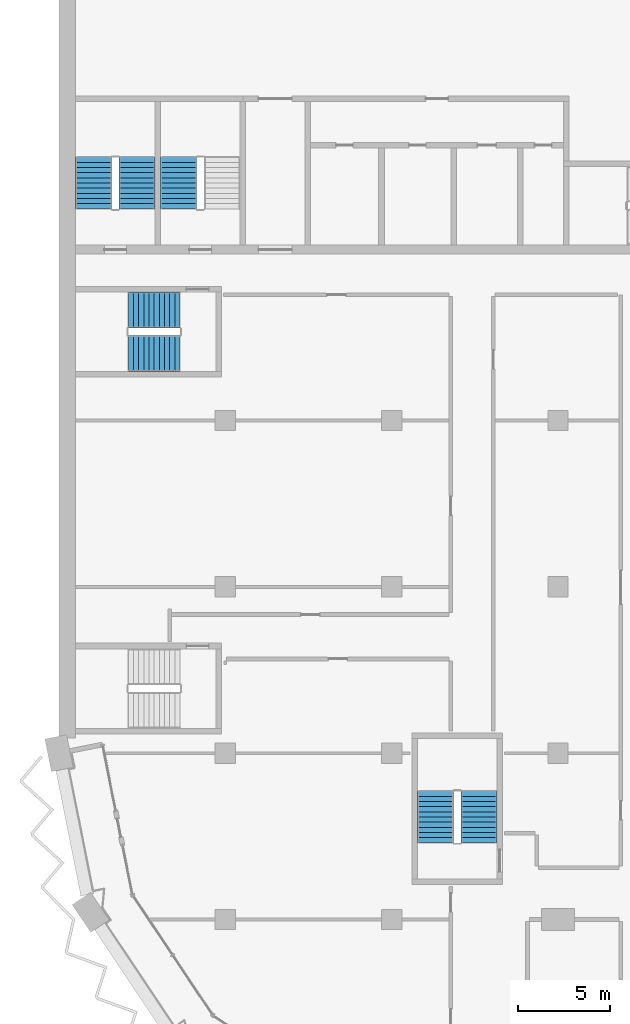
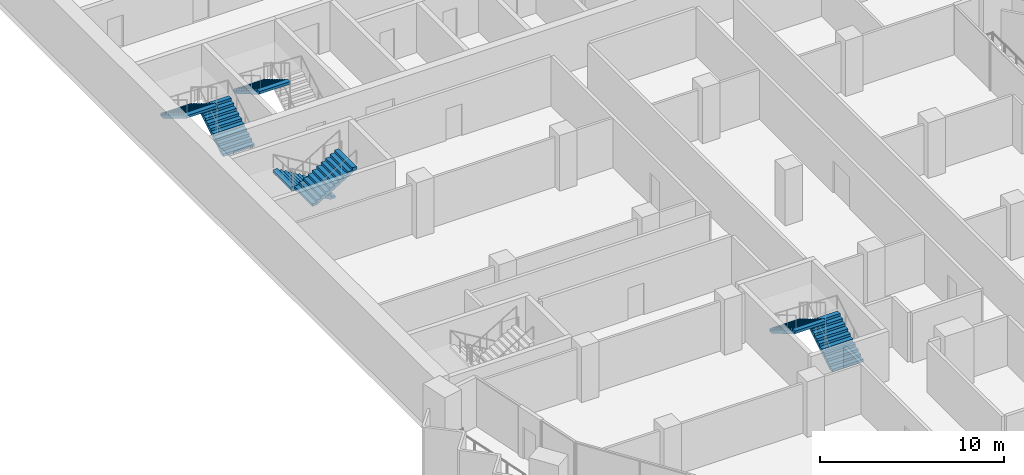
# One storey, part 12 of 17: 7 stair flights, 4 elements without a shape of their own.
"""IFC4 building model written with IfcOpenShell, lengths in metres."""

from ifc_helpers import new_model, si_unit, direction, frame, origin, place, context, subcontext, project, spatial, polyline, outline, extrude, material, type_object, element, aggregate, save


model = new_model("IFC4")

# Units and contexts
model_context = context("Model", 3, precision=1e-05, world=origin(), true_north=direction((0.0, 1.0)))
body_context = subcontext(model_context, "Body", "Model", "MODEL_VIEW")
ifc_project = project(units=[si_unit("LENGTHUNIT", "METRE"), si_unit("AREAUNIT", "SQUARE_METRE"), si_unit("VOLUMEUNIT", "CUBIC_METRE"), si_unit("PLANEANGLEUNIT", "RADIAN"), si_unit("MASSUNIT", "GRAM", prefix="KILO")], contexts=[model_context])

# Site, building, storey
site_placement = place(None, origin())
site = spatial("IfcSite", under=ifc_project, at=site_placement, CompositionType="ELEMENT")
building_placement = place(site_placement, origin())
building = spatial("IfcBuilding", under=site, at=building_placement, Name="Hunhe Ridgeline Campus", CompositionType="ELEMENT")
storey_placement = place(building_placement, frame((0.0, 0.0, 208.699951171875)))
storey = spatial("IfcBuildingStorey", under=building, at=storey_placement, Name="L53", CompositionType="ELEMENT", Elevation=208.699951171875)

# Stair, stair flights
ifc_material = material(Name="Concrete C40", Category="concrete")
stair_type = type_object("IfcStairType", Name="Reinforced concrete dog-leg stair 1950 Concrete C40", PredefinedType="HALF_TURN_STAIR", material=ifc_material)
stair_1_placement = place(storey_placement, origin())
stair_1 = element("IfcStair", 1, at=stair_1_placement, inside=storey, type_object=stair_type, Name="L53 S3", PredefinedType="HALF_TURN_STAIR")
stair_flight_type = type_object("IfcStairFlightType", Name="Reinforced concrete stair flight 1950 Concrete C40", PredefinedType="STRAIGHT", material=ifc_material)
stair_flight_1_placement = place(storey_placement, frame((4.22509765625, 65.449951171875, 0.0), z_axis=(0.0, 0.0, 1.0), x_axis=(0.0, 1.0, 0.0)))
stair_flight_1 = element("IfcStairFlight", 2, at=stair_flight_1_placement, type_object=stair_flight_type, Name="ST3 flight 1", NumberOfRisers=11, NumberOfTreads=10, PredefinedType="STRAIGHT", RiserHeight=0.168181818, TreadLength=0.28, context=body_context, shape_type="SweptSolid", body=[
    extrude(outline(polyline([(0.0, 0.0), (0.0, 0.168212890625), (0.280029296875, 0.168212890625), (0.280029296875, 0.33642578125), (0.56005859375, 0.33642578125), (0.56005859375, 0.504638671875), (0.840087890625, 0.504638671875), (0.840087890625, 0.672607421875), (1.1201171875, 0.672607421875), (1.1201171875, 0.8408203125), (1.39990234375, 0.8408203125), (1.39990234375, 1.009033203125), (1.679931640625, 1.009033203125), (1.679931640625, 1.17724609375), (1.9599609375, 1.17724609375), (1.9599609375, 1.345458984375), (2.239990234375, 1.345458984375), (2.239990234375, 1.513671875), (2.52001953125, 1.513671875), (2.52001953125, 1.681884765625), (2.800048828125, 1.681884765625), (2.800048828125, 1.85009765625), (2.800048828125, 1.5068359375), (0.291015625, 0.0), (0.0, 0.0)])), frame((0.0, 0.97509765625, 0.0), z_axis=(0.0, -1.0, 0.0), x_axis=(1.0, 0.0, 0.0)), (0.0, 0.0, 1.0), 1.949951171875),
    extrude(outline(polyline([(0.030029296875, 0.030029296875), (0.030029296875, 0.13818359375), (0.31005859375, 0.13818359375), (0.31005859375, 0.306396484375), (0.590087890625, 0.306396484375), (0.590087890625, 0.474609375), (0.8701171875, 0.474609375), (0.8701171875, 0.642578125), (1.14990234375, 0.642578125), (1.14990234375, 0.810791015625), (1.429931640625, 0.810791015625), (1.429931640625, 0.97900390625), (1.7099609375, 0.97900390625), (1.7099609375, 1.147216796875), (1.989990234375, 1.147216796875), (1.989990234375, 1.3154296875), (2.27001953125, 1.3154296875), (2.27001953125, 1.483642578125), (2.550048828125, 1.483642578125), (2.550048828125, 1.65185546875), (2.77001953125, 1.65185546875), (2.77001953125, 1.52392578125), (0.28271484375, 0.030029296875), (0.030029296875, 0.030029296875)])), frame((0.0, -0.070068359375, 0.0), z_axis=(0.0, -1.0, 0.0), x_axis=(1.0, 0.0, 0.0)), (0.0, 0.0, 1.0), 0.019775390625),
    extrude(outline(polyline([(0.030029296875, 0.030029296875), (0.030029296875, 0.13818359375), (0.31005859375, 0.13818359375), (0.31005859375, 0.306396484375), (0.590087890625, 0.306396484375), (0.590087890625, 0.474609375), (0.8701171875, 0.474609375), (0.8701171875, 0.642578125), (1.14990234375, 0.642578125), (1.14990234375, 0.810791015625), (1.429931640625, 0.810791015625), (1.429931640625, 0.97900390625), (1.7099609375, 0.97900390625), (1.7099609375, 1.147216796875), (1.989990234375, 1.147216796875), (1.989990234375, 1.3154296875), (2.27001953125, 1.3154296875), (2.27001953125, 1.483642578125), (2.550048828125, 1.483642578125), (2.550048828125, 1.65185546875), (2.77001953125, 1.65185546875), (2.77001953125, 1.52392578125), (0.28271484375, 0.030029296875), (0.030029296875, 0.030029296875)])), frame((0.0, 0.010009765625, 0.0), z_axis=(0.0, -1.0, 0.0), x_axis=(1.0, 0.0, 0.0)), (0.0, 0.0, 1.0), 0.019775390625),
    extrude(outline(polyline([(0.030029296875, 0.030029296875), (0.030029296875, 0.13818359375), (0.31005859375, 0.13818359375), (0.31005859375, 0.306396484375), (0.590087890625, 0.306396484375), (0.590087890625, 0.474609375), (0.8701171875, 0.474609375), (0.8701171875, 0.642578125), (1.14990234375, 0.642578125), (1.14990234375, 0.810791015625), (1.429931640625, 0.810791015625), (1.429931640625, 0.97900390625), (1.7099609375, 0.97900390625), (1.7099609375, 1.147216796875), (1.989990234375, 1.147216796875), (1.989990234375, 1.3154296875), (2.27001953125, 1.3154296875), (2.27001953125, 1.483642578125), (2.550048828125, 1.483642578125), (2.550048828125, 1.65185546875), (2.77001953125, 1.65185546875), (2.77001953125, 1.52392578125), (0.28271484375, 0.030029296875), (0.030029296875, 0.030029296875)])), frame((0.0, 0.090087890625, 0.0), z_axis=(0.0, -1.0, 0.0), x_axis=(1.0, 0.0, 0.0)), (0.0, 0.0, 1.0), 0.019775390625),
])
stair_flight_2_placement = place(storey_placement, frame((1.875, 68.25, 1.85009765625), z_axis=(0.0, 0.0, 1.0), x_axis=(0.0, -1.0, 0.0)))
stair_flight_2 = element("IfcStairFlight", 3, at=stair_flight_2_placement, type_object=stair_flight_type, Name="ST3 flight 2", NumberOfRisers=11, NumberOfTreads=10, PredefinedType="STRAIGHT", RiserHeight=0.168181818, TreadLength=0.28, context=body_context, shape_type="SweptSolid", body=[
    extrude(outline(polyline([(0.0, 0.0), (0.0, 0.168212890625), (0.280029296875, 0.168212890625), (0.280029296875, 0.33642578125), (0.56005859375, 0.33642578125), (0.56005859375, 0.504638671875), (0.840087890625, 0.504638671875), (0.840087890625, 0.672607421875), (1.1201171875, 0.672607421875), (1.1201171875, 0.8408203125), (1.39990234375, 0.8408203125), (1.39990234375, 1.009033203125), (1.679931640625, 1.009033203125), (1.679931640625, 1.17724609375), (1.9599609375, 1.17724609375), (1.9599609375, 1.345458984375), (2.239990234375, 1.345458984375), (2.239990234375, 1.513671875), (2.52001953125, 1.513671875), (2.52001953125, 1.681884765625), (2.800048828125, 1.681884765625), (2.800048828125, 1.85009765625), (2.800048828125, 1.5068359375), (0.291015625, 0.0), (0.0, 0.0)])), frame((0.0, 0.97509765625, 0.0), z_axis=(0.0, -1.0, 0.0), x_axis=(1.0, 0.0, 0.0)), (0.0, 0.0, 1.0), 1.949951171875),
    extrude(outline(polyline([(0.030029296875, 0.030029296875), (0.030029296875, 0.13818359375), (0.31005859375, 0.13818359375), (0.31005859375, 0.306396484375), (0.590087890625, 0.306396484375), (0.590087890625, 0.474609375), (0.8701171875, 0.474609375), (0.8701171875, 0.642578125), (1.14990234375, 0.642578125), (1.14990234375, 0.810791015625), (1.429931640625, 0.810791015625), (1.429931640625, 0.97900390625), (1.7099609375, 0.97900390625), (1.7099609375, 1.147216796875), (1.989990234375, 1.147216796875), (1.989990234375, 1.3154296875), (2.27001953125, 1.3154296875), (2.27001953125, 1.483642578125), (2.550048828125, 1.483642578125), (2.550048828125, 1.65185546875), (2.77001953125, 1.65185546875), (2.77001953125, 1.52392578125), (0.28271484375, 0.030029296875), (0.030029296875, 0.030029296875)])), frame((0.0, -0.070068359375, 0.0), z_axis=(0.0, -1.0, 0.0), x_axis=(1.0, 0.0, 0.0)), (0.0, 0.0, 1.0), 0.019775390625),
    extrude(outline(polyline([(0.030029296875, 0.030029296875), (0.030029296875, 0.13818359375), (0.31005859375, 0.13818359375), (0.31005859375, 0.306396484375), (0.590087890625, 0.306396484375), (0.590087890625, 0.474609375), (0.8701171875, 0.474609375), (0.8701171875, 0.642578125), (1.14990234375, 0.642578125), (1.14990234375, 0.810791015625), (1.429931640625, 0.810791015625), (1.429931640625, 0.97900390625), (1.7099609375, 0.97900390625), (1.7099609375, 1.147216796875), (1.989990234375, 1.147216796875), (1.989990234375, 1.3154296875), (2.27001953125, 1.3154296875), (2.27001953125, 1.483642578125), (2.550048828125, 1.483642578125), (2.550048828125, 1.65185546875), (2.77001953125, 1.65185546875), (2.77001953125, 1.52392578125), (0.28271484375, 0.030029296875), (0.030029296875, 0.030029296875)])), frame((0.0, 0.010009765625, 0.0), z_axis=(0.0, -1.0, 0.0), x_axis=(1.0, 0.0, 0.0)), (0.0, 0.0, 1.0), 0.019775390625),
    extrude(outline(polyline([(0.030029296875, 0.030029296875), (0.030029296875, 0.13818359375), (0.31005859375, 0.13818359375), (0.31005859375, 0.306396484375), (0.590087890625, 0.306396484375), (0.590087890625, 0.474609375), (0.8701171875, 0.474609375), (0.8701171875, 0.642578125), (1.14990234375, 0.642578125), (1.14990234375, 0.810791015625), (1.429931640625, 0.810791015625), (1.429931640625, 0.97900390625), (1.7099609375, 0.97900390625), (1.7099609375, 1.147216796875), (1.989990234375, 1.147216796875), (1.989990234375, 1.3154296875), (2.27001953125, 1.3154296875), (2.27001953125, 1.483642578125), (2.550048828125, 1.483642578125), (2.550048828125, 1.65185546875), (2.77001953125, 1.65185546875), (2.77001953125, 1.52392578125), (0.28271484375, 0.030029296875), (0.030029296875, 0.030029296875)])), frame((0.0, 0.090087890625, 0.0), z_axis=(0.0, -1.0, 0.0), x_axis=(1.0, 0.0, 0.0)), (0.0, 0.0, 1.0), 0.019775390625),
])
aggregate(stair_1, [stair_flight_1, stair_flight_2])

# Stair, stair flight
stair_2_placement = place(storey_placement, origin())
stair_2 = element("IfcStair", 4, at=stair_2_placement, inside=storey, type_object=stair_type, Name="L53 S4", PredefinedType="HALF_TURN_STAIR")
stair_flight_3_placement = place(storey_placement, frame((6.47509765625, 68.25, 1.85009765625), z_axis=(0.0, 0.0, 1.0), x_axis=(0.0, -1.0, 0.0)))
stair_flight_3 = element("IfcStairFlight", 5, at=stair_flight_3_placement, type_object=stair_flight_type, Name="ST4 flight 2", NumberOfRisers=11, NumberOfTreads=10, PredefinedType="STRAIGHT", RiserHeight=0.168181818, TreadLength=0.28, context=body_context, shape_type="SweptSolid", body=[
    extrude(outline(polyline([(0.0, 0.0), (0.0, 0.168212890625), (0.280029296875, 0.168212890625), (0.280029296875, 0.33642578125), (0.56005859375, 0.33642578125), (0.56005859375, 0.504638671875), (0.840087890625, 0.504638671875), (0.840087890625, 0.672607421875), (1.1201171875, 0.672607421875), (1.1201171875, 0.8408203125), (1.39990234375, 0.8408203125), (1.39990234375, 1.009033203125), (1.679931640625, 1.009033203125), (1.679931640625, 1.17724609375), (1.9599609375, 1.17724609375), (1.9599609375, 1.345458984375), (2.239990234375, 1.345458984375), (2.239990234375, 1.513671875), (2.52001953125, 1.513671875), (2.52001953125, 1.681884765625), (2.800048828125, 1.681884765625), (2.800048828125, 1.85009765625), (2.800048828125, 1.5068359375), (0.291015625, 0.0), (0.0, 0.0)])), frame((0.0, 0.97509765625, 0.0), z_axis=(0.0, -1.0, 0.0), x_axis=(1.0, 0.0, 0.0)), (0.0, 0.0, 1.0), 1.949951171875),
    extrude(outline(polyline([(0.030029296875, 0.030029296875), (0.030029296875, 0.13818359375), (0.31005859375, 0.13818359375), (0.31005859375, 0.306396484375), (0.590087890625, 0.306396484375), (0.590087890625, 0.474609375), (0.8701171875, 0.474609375), (0.8701171875, 0.642578125), (1.14990234375, 0.642578125), (1.14990234375, 0.810791015625), (1.429931640625, 0.810791015625), (1.429931640625, 0.97900390625), (1.7099609375, 0.97900390625), (1.7099609375, 1.147216796875), (1.989990234375, 1.147216796875), (1.989990234375, 1.3154296875), (2.27001953125, 1.3154296875), (2.27001953125, 1.483642578125), (2.550048828125, 1.483642578125), (2.550048828125, 1.65185546875), (2.77001953125, 1.65185546875), (2.77001953125, 1.52392578125), (0.28271484375, 0.030029296875), (0.030029296875, 0.030029296875)])), frame((0.0, -0.070068359375, 0.0), z_axis=(0.0, -1.0, 0.0), x_axis=(1.0, 0.0, 0.0)), (0.0, 0.0, 1.0), 0.019775390625),
    extrude(outline(polyline([(0.030029296875, 0.030029296875), (0.030029296875, 0.13818359375), (0.31005859375, 0.13818359375), (0.31005859375, 0.306396484375), (0.590087890625, 0.306396484375), (0.590087890625, 0.474609375), (0.8701171875, 0.474609375), (0.8701171875, 0.642578125), (1.14990234375, 0.642578125), (1.14990234375, 0.810791015625), (1.429931640625, 0.810791015625), (1.429931640625, 0.97900390625), (1.7099609375, 0.97900390625), (1.7099609375, 1.147216796875), (1.989990234375, 1.147216796875), (1.989990234375, 1.3154296875), (2.27001953125, 1.3154296875), (2.27001953125, 1.483642578125), (2.550048828125, 1.483642578125), (2.550048828125, 1.65185546875), (2.77001953125, 1.65185546875), (2.77001953125, 1.52392578125), (0.28271484375, 0.030029296875), (0.030029296875, 0.030029296875)])), frame((0.0, 0.010009765625, 0.0), z_axis=(0.0, -1.0, 0.0), x_axis=(1.0, 0.0, 0.0)), (0.0, 0.0, 1.0), 0.019775390625),
    extrude(outline(polyline([(0.030029296875, 0.030029296875), (0.030029296875, 0.13818359375), (0.31005859375, 0.13818359375), (0.31005859375, 0.306396484375), (0.590087890625, 0.306396484375), (0.590087890625, 0.474609375), (0.8701171875, 0.474609375), (0.8701171875, 0.642578125), (1.14990234375, 0.642578125), (1.14990234375, 0.810791015625), (1.429931640625, 0.810791015625), (1.429931640625, 0.97900390625), (1.7099609375, 0.97900390625), (1.7099609375, 1.147216796875), (1.989990234375, 1.147216796875), (1.989990234375, 1.3154296875), (2.27001953125, 1.3154296875), (2.27001953125, 1.483642578125), (2.550048828125, 1.483642578125), (2.550048828125, 1.65185546875), (2.77001953125, 1.65185546875), (2.77001953125, 1.52392578125), (0.28271484375, 0.030029296875), (0.030029296875, 0.030029296875)])), frame((0.0, 0.090087890625, 0.0), z_axis=(0.0, -1.0, 0.0), x_axis=(1.0, 0.0, 0.0)), (0.0, 0.0, 1.0), 0.019775390625),
])
aggregate(stair_2, [stair_flight_3])

# Stair, stair flights
stair_3_placement = place(storey_placement, origin())
stair_3 = element("IfcStair", 6, at=stair_3_placement, inside=storey, type_object=stair_type, Name="L53 W3", PredefinedType="HALF_TURN_STAIR")
stair_flight_4_placement = place(storey_placement, frame((22.72509765625, 31.14990234375, 0.0), z_axis=(0.0, 0.0, 1.0), x_axis=(0.0, 1.0, 0.0)))
stair_flight_4 = element("IfcStairFlight", 7, at=stair_flight_4_placement, type_object=stair_flight_type, Name="ST9 flight 1", NumberOfRisers=11, NumberOfTreads=10, PredefinedType="STRAIGHT", RiserHeight=0.168181818, TreadLength=0.28, context=body_context, shape_type="SweptSolid", body=[
    extrude(outline(polyline([(0.0, 0.0), (0.0, 0.168212890625), (0.280029296875, 0.168212890625), (0.280029296875, 0.33642578125), (0.56005859375, 0.33642578125), (0.56005859375, 0.504638671875), (0.840087890625, 0.504638671875), (0.840087890625, 0.672607421875), (1.1201171875, 0.672607421875), (1.1201171875, 0.8408203125), (1.39990234375, 0.8408203125), (1.39990234375, 1.009033203125), (1.679931640625, 1.009033203125), (1.679931640625, 1.17724609375), (1.9599609375, 1.17724609375), (1.9599609375, 1.345458984375), (2.239990234375, 1.345458984375), (2.239990234375, 1.513671875), (2.52001953125, 1.513671875), (2.52001953125, 1.681884765625), (2.800048828125, 1.681884765625), (2.800048828125, 1.85009765625), (2.800048828125, 1.5068359375), (0.291015625, 0.0), (0.0, 0.0)])), frame((0.0, 0.97509765625, 0.0), z_axis=(0.0, -1.0, 0.0), x_axis=(1.0, 0.0, 0.0)), (0.0, 0.0, 1.0), 1.949951171875),
    extrude(outline(polyline([(0.030029296875, 0.030029296875), (0.030029296875, 0.13818359375), (0.31005859375, 0.13818359375), (0.31005859375, 0.306396484375), (0.590087890625, 0.306396484375), (0.590087890625, 0.474609375), (0.8701171875, 0.474609375), (0.8701171875, 0.642578125), (1.14990234375, 0.642578125), (1.14990234375, 0.810791015625), (1.429931640625, 0.810791015625), (1.429931640625, 0.97900390625), (1.7099609375, 0.97900390625), (1.7099609375, 1.147216796875), (1.989990234375, 1.147216796875), (1.989990234375, 1.3154296875), (2.27001953125, 1.3154296875), (2.27001953125, 1.483642578125), (2.550048828125, 1.483642578125), (2.550048828125, 1.65185546875), (2.77001953125, 1.65185546875), (2.77001953125, 1.52392578125), (0.28271484375, 0.030029296875), (0.030029296875, 0.030029296875)])), frame((0.0, -0.070068359375, 0.0), z_axis=(0.0, -1.0, 0.0), x_axis=(1.0, 0.0, 0.0)), (0.0, 0.0, 1.0), 0.019775390625),
    extrude(outline(polyline([(0.030029296875, 0.030029296875), (0.030029296875, 0.13818359375), (0.31005859375, 0.13818359375), (0.31005859375, 0.306396484375), (0.590087890625, 0.306396484375), (0.590087890625, 0.474609375), (0.8701171875, 0.474609375), (0.8701171875, 0.642578125), (1.14990234375, 0.642578125), (1.14990234375, 0.810791015625), (1.429931640625, 0.810791015625), (1.429931640625, 0.97900390625), (1.7099609375, 0.97900390625), (1.7099609375, 1.147216796875), (1.989990234375, 1.147216796875), (1.989990234375, 1.3154296875), (2.27001953125, 1.3154296875), (2.27001953125, 1.483642578125), (2.550048828125, 1.483642578125), (2.550048828125, 1.65185546875), (2.77001953125, 1.65185546875), (2.77001953125, 1.52392578125), (0.28271484375, 0.030029296875), (0.030029296875, 0.030029296875)])), frame((0.0, 0.010009765625, 0.0), z_axis=(0.0, -1.0, 0.0), x_axis=(1.0, 0.0, 0.0)), (0.0, 0.0, 1.0), 0.019775390625),
    extrude(outline(polyline([(0.030029296875, 0.030029296875), (0.030029296875, 0.13818359375), (0.31005859375, 0.13818359375), (0.31005859375, 0.306396484375), (0.590087890625, 0.306396484375), (0.590087890625, 0.474609375), (0.8701171875, 0.474609375), (0.8701171875, 0.642578125), (1.14990234375, 0.642578125), (1.14990234375, 0.810791015625), (1.429931640625, 0.810791015625), (1.429931640625, 0.97900390625), (1.7099609375, 0.97900390625), (1.7099609375, 1.147216796875), (1.989990234375, 1.147216796875), (1.989990234375, 1.3154296875), (2.27001953125, 1.3154296875), (2.27001953125, 1.483642578125), (2.550048828125, 1.483642578125), (2.550048828125, 1.65185546875), (2.77001953125, 1.65185546875), (2.77001953125, 1.52392578125), (0.28271484375, 0.030029296875), (0.030029296875, 0.030029296875)])), frame((0.0, 0.090087890625, 0.0), z_axis=(0.0, -1.0, 0.0), x_axis=(1.0, 0.0, 0.0)), (0.0, 0.0, 1.0), 0.019775390625),
])
stair_flight_5_placement = place(storey_placement, frame((20.375, 33.949951171875, 1.85009765625), z_axis=(0.0, 0.0, 1.0), x_axis=(0.0, -1.0, 0.0)))
stair_flight_5 = element("IfcStairFlight", 8, at=stair_flight_5_placement, type_object=stair_flight_type, Name="ST9 flight 2", NumberOfRisers=11, NumberOfTreads=10, PredefinedType="STRAIGHT", RiserHeight=0.168181818, TreadLength=0.28, context=body_context, shape_type="SweptSolid", body=[
    extrude(outline(polyline([(0.0, 0.0), (0.0, 0.168212890625), (0.280029296875, 0.168212890625), (0.280029296875, 0.33642578125), (0.56005859375, 0.33642578125), (0.56005859375, 0.504638671875), (0.840087890625, 0.504638671875), (0.840087890625, 0.672607421875), (1.1201171875, 0.672607421875), (1.1201171875, 0.8408203125), (1.39990234375, 0.8408203125), (1.39990234375, 1.009033203125), (1.679931640625, 1.009033203125), (1.679931640625, 1.17724609375), (1.9599609375, 1.17724609375), (1.9599609375, 1.345458984375), (2.239990234375, 1.345458984375), (2.239990234375, 1.513671875), (2.52001953125, 1.513671875), (2.52001953125, 1.681884765625), (2.800048828125, 1.681884765625), (2.800048828125, 1.85009765625), (2.800048828125, 1.5068359375), (0.291015625, 0.0), (0.0, 0.0)])), frame((0.0, 0.97509765625, 0.0), z_axis=(0.0, -1.0, 0.0), x_axis=(1.0, 0.0, 0.0)), (0.0, 0.0, 1.0), 1.949951171875),
    extrude(outline(polyline([(0.030029296875, 0.030029296875), (0.030029296875, 0.13818359375), (0.31005859375, 0.13818359375), (0.31005859375, 0.306396484375), (0.590087890625, 0.306396484375), (0.590087890625, 0.474609375), (0.8701171875, 0.474609375), (0.8701171875, 0.642578125), (1.14990234375, 0.642578125), (1.14990234375, 0.810791015625), (1.429931640625, 0.810791015625), (1.429931640625, 0.97900390625), (1.7099609375, 0.97900390625), (1.7099609375, 1.147216796875), (1.989990234375, 1.147216796875), (1.989990234375, 1.3154296875), (2.27001953125, 1.3154296875), (2.27001953125, 1.483642578125), (2.550048828125, 1.483642578125), (2.550048828125, 1.65185546875), (2.77001953125, 1.65185546875), (2.77001953125, 1.52392578125), (0.28271484375, 0.030029296875), (0.030029296875, 0.030029296875)])), frame((0.0, -0.070068359375, 0.0), z_axis=(0.0, -1.0, 0.0), x_axis=(1.0, 0.0, 0.0)), (0.0, 0.0, 1.0), 0.019775390625),
    extrude(outline(polyline([(0.030029296875, 0.030029296875), (0.030029296875, 0.13818359375), (0.31005859375, 0.13818359375), (0.31005859375, 0.306396484375), (0.590087890625, 0.306396484375), (0.590087890625, 0.474609375), (0.8701171875, 0.474609375), (0.8701171875, 0.642578125), (1.14990234375, 0.642578125), (1.14990234375, 0.810791015625), (1.429931640625, 0.810791015625), (1.429931640625, 0.97900390625), (1.7099609375, 0.97900390625), (1.7099609375, 1.147216796875), (1.989990234375, 1.147216796875), (1.989990234375, 1.3154296875), (2.27001953125, 1.3154296875), (2.27001953125, 1.483642578125), (2.550048828125, 1.483642578125), (2.550048828125, 1.65185546875), (2.77001953125, 1.65185546875), (2.77001953125, 1.52392578125), (0.28271484375, 0.030029296875), (0.030029296875, 0.030029296875)])), frame((0.0, 0.010009765625, 0.0), z_axis=(0.0, -1.0, 0.0), x_axis=(1.0, 0.0, 0.0)), (0.0, 0.0, 1.0), 0.019775390625),
    extrude(outline(polyline([(0.030029296875, 0.030029296875), (0.030029296875, 0.13818359375), (0.31005859375, 0.13818359375), (0.31005859375, 0.306396484375), (0.590087890625, 0.306396484375), (0.590087890625, 0.474609375), (0.8701171875, 0.474609375), (0.8701171875, 0.642578125), (1.14990234375, 0.642578125), (1.14990234375, 0.810791015625), (1.429931640625, 0.810791015625), (1.429931640625, 0.97900390625), (1.7099609375, 0.97900390625), (1.7099609375, 1.147216796875), (1.989990234375, 1.147216796875), (1.989990234375, 1.3154296875), (2.27001953125, 1.3154296875), (2.27001953125, 1.483642578125), (2.550048828125, 1.483642578125), (2.550048828125, 1.65185546875), (2.77001953125, 1.65185546875), (2.77001953125, 1.52392578125), (0.28271484375, 0.030029296875), (0.030029296875, 0.030029296875)])), frame((0.0, 0.090087890625, 0.0), z_axis=(0.0, -1.0, 0.0), x_axis=(1.0, 0.0, 0.0)), (0.0, 0.0, 1.0), 0.019775390625),
])
aggregate(stair_3, [stair_flight_4, stair_flight_5])

stair_4_placement = place(storey_placement, origin())
stair_4 = element("IfcStair", 9, at=stair_4_placement, inside=storey, type_object=stair_type, Name="L53 W2", PredefinedType="HALF_TURN_STAIR")
stair_flight_6_placement = place(storey_placement, frame((6.550048828125, 59.97509765625, 0.0), z_axis=(0.0, 0.0, 1.0), x_axis=(-1.0, 0.0, 0.0)))
stair_flight_6 = element("IfcStairFlight", 10, at=stair_flight_6_placement, type_object=stair_flight_type, Name="ST12 flight 1", NumberOfRisers=11, NumberOfTreads=10, PredefinedType="STRAIGHT", RiserHeight=0.168181818, TreadLength=0.28, context=body_context, shape_type="SweptSolid", body=[
    extrude(outline(polyline([(0.0, 0.0), (0.0, 0.168212890625), (0.280029296875, 0.168212890625), (0.280029296875, 0.33642578125), (0.56005859375, 0.33642578125), (0.56005859375, 0.504638671875), (0.840087890625, 0.504638671875), (0.840087890625, 0.672607421875), (1.1201171875, 0.672607421875), (1.1201171875, 0.8408203125), (1.39990234375, 0.8408203125), (1.39990234375, 1.009033203125), (1.679931640625, 1.009033203125), (1.679931640625, 1.17724609375), (1.9599609375, 1.17724609375), (1.9599609375, 1.345458984375), (2.239990234375, 1.345458984375), (2.239990234375, 1.513671875), (2.52001953125, 1.513671875), (2.52001953125, 1.681884765625), (2.800048828125, 1.681884765625), (2.800048828125, 1.85009765625), (2.800048828125, 1.5068359375), (0.291015625, 0.0), (0.0, 0.0)])), frame((0.0, 0.97509765625, 0.0), z_axis=(0.0, -1.0, 0.0), x_axis=(1.0, 0.0, 0.0)), (0.0, 0.0, 1.0), 1.949951171875),
    extrude(outline(polyline([(0.030029296875, 0.030029296875), (0.030029296875, 0.13818359375), (0.31005859375, 0.13818359375), (0.31005859375, 0.306396484375), (0.590087890625, 0.306396484375), (0.590087890625, 0.474609375), (0.8701171875, 0.474609375), (0.8701171875, 0.642578125), (1.14990234375, 0.642578125), (1.14990234375, 0.810791015625), (1.429931640625, 0.810791015625), (1.429931640625, 0.97900390625), (1.7099609375, 0.97900390625), (1.7099609375, 1.147216796875), (1.989990234375, 1.147216796875), (1.989990234375, 1.3154296875), (2.27001953125, 1.3154296875), (2.27001953125, 1.483642578125), (2.550048828125, 1.483642578125), (2.550048828125, 1.65185546875), (2.77001953125, 1.65185546875), (2.77001953125, 1.52392578125), (0.28271484375, 0.030029296875), (0.030029296875, 0.030029296875)])), frame((0.0, -0.070068359375, 0.0), z_axis=(0.0, -1.0, 0.0), x_axis=(1.0, 0.0, 0.0)), (0.0, 0.0, 1.0), 0.019775390625),
    extrude(outline(polyline([(0.030029296875, 0.030029296875), (0.030029296875, 0.13818359375), (0.31005859375, 0.13818359375), (0.31005859375, 0.306396484375), (0.590087890625, 0.306396484375), (0.590087890625, 0.474609375), (0.8701171875, 0.474609375), (0.8701171875, 0.642578125), (1.14990234375, 0.642578125), (1.14990234375, 0.810791015625), (1.429931640625, 0.810791015625), (1.429931640625, 0.97900390625), (1.7099609375, 0.97900390625), (1.7099609375, 1.147216796875), (1.989990234375, 1.147216796875), (1.989990234375, 1.3154296875), (2.27001953125, 1.3154296875), (2.27001953125, 1.483642578125), (2.550048828125, 1.483642578125), (2.550048828125, 1.65185546875), (2.77001953125, 1.65185546875), (2.77001953125, 1.52392578125), (0.28271484375, 0.030029296875), (0.030029296875, 0.030029296875)])), frame((0.0, 0.010009765625, 0.0), z_axis=(0.0, -1.0, 0.0), x_axis=(1.0, 0.0, 0.0)), (0.0, 0.0, 1.0), 0.019775390625),
    extrude(outline(polyline([(0.030029296875, 0.030029296875), (0.030029296875, 0.13818359375), (0.31005859375, 0.13818359375), (0.31005859375, 0.306396484375), (0.590087890625, 0.306396484375), (0.590087890625, 0.474609375), (0.8701171875, 0.474609375), (0.8701171875, 0.642578125), (1.14990234375, 0.642578125), (1.14990234375, 0.810791015625), (1.429931640625, 0.810791015625), (1.429931640625, 0.97900390625), (1.7099609375, 0.97900390625), (1.7099609375, 1.147216796875), (1.989990234375, 1.147216796875), (1.989990234375, 1.3154296875), (2.27001953125, 1.3154296875), (2.27001953125, 1.483642578125), (2.550048828125, 1.483642578125), (2.550048828125, 1.65185546875), (2.77001953125, 1.65185546875), (2.77001953125, 1.52392578125), (0.28271484375, 0.030029296875), (0.030029296875, 0.030029296875)])), frame((0.0, 0.090087890625, 0.0), z_axis=(0.0, -1.0, 0.0), x_axis=(1.0, 0.0, 0.0)), (0.0, 0.0, 1.0), 0.019775390625),
])
stair_flight_7_placement = place(storey_placement, frame((3.75, 57.625, 1.85009765625), z_axis=(0.0, 0.0, 1.0), x_axis=(1.0, 0.0, 0.0)))
stair_flight_7 = element("IfcStairFlight", 11, at=stair_flight_7_placement, type_object=stair_flight_type, Name="ST12 flight 2", NumberOfRisers=11, NumberOfTreads=10, PredefinedType="STRAIGHT", RiserHeight=0.168181818, TreadLength=0.28, context=body_context, shape_type="SweptSolid", body=[
    extrude(outline(polyline([(0.0, 0.0), (0.0, 0.168212890625), (0.280029296875, 0.168212890625), (0.280029296875, 0.33642578125), (0.56005859375, 0.33642578125), (0.56005859375, 0.504638671875), (0.840087890625, 0.504638671875), (0.840087890625, 0.672607421875), (1.1201171875, 0.672607421875), (1.1201171875, 0.8408203125), (1.39990234375, 0.8408203125), (1.39990234375, 1.009033203125), (1.679931640625, 1.009033203125), (1.679931640625, 1.17724609375), (1.9599609375, 1.17724609375), (1.9599609375, 1.345458984375), (2.239990234375, 1.345458984375), (2.239990234375, 1.513671875), (2.52001953125, 1.513671875), (2.52001953125, 1.681884765625), (2.800048828125, 1.681884765625), (2.800048828125, 1.85009765625), (2.800048828125, 1.5068359375), (0.291015625, 0.0), (0.0, 0.0)])), frame((0.0, 0.97509765625, 0.0), z_axis=(0.0, -1.0, 0.0), x_axis=(1.0, 0.0, 0.0)), (0.0, 0.0, 1.0), 1.949951171875),
    extrude(outline(polyline([(0.030029296875, 0.030029296875), (0.030029296875, 0.13818359375), (0.31005859375, 0.13818359375), (0.31005859375, 0.306396484375), (0.590087890625, 0.306396484375), (0.590087890625, 0.474609375), (0.8701171875, 0.474609375), (0.8701171875, 0.642578125), (1.14990234375, 0.642578125), (1.14990234375, 0.810791015625), (1.429931640625, 0.810791015625), (1.429931640625, 0.97900390625), (1.7099609375, 0.97900390625), (1.7099609375, 1.147216796875), (1.989990234375, 1.147216796875), (1.989990234375, 1.3154296875), (2.27001953125, 1.3154296875), (2.27001953125, 1.483642578125), (2.550048828125, 1.483642578125), (2.550048828125, 1.65185546875), (2.77001953125, 1.65185546875), (2.77001953125, 1.52392578125), (0.28271484375, 0.030029296875), (0.030029296875, 0.030029296875)])), frame((0.0, -0.070068359375, 0.0), z_axis=(0.0, -1.0, 0.0), x_axis=(1.0, 0.0, 0.0)), (0.0, 0.0, 1.0), 0.019775390625),
    extrude(outline(polyline([(0.030029296875, 0.030029296875), (0.030029296875, 0.13818359375), (0.31005859375, 0.13818359375), (0.31005859375, 0.306396484375), (0.590087890625, 0.306396484375), (0.590087890625, 0.474609375), (0.8701171875, 0.474609375), (0.8701171875, 0.642578125), (1.14990234375, 0.642578125), (1.14990234375, 0.810791015625), (1.429931640625, 0.810791015625), (1.429931640625, 0.97900390625), (1.7099609375, 0.97900390625), (1.7099609375, 1.147216796875), (1.989990234375, 1.147216796875), (1.989990234375, 1.3154296875), (2.27001953125, 1.3154296875), (2.27001953125, 1.483642578125), (2.550048828125, 1.483642578125), (2.550048828125, 1.65185546875), (2.77001953125, 1.65185546875), (2.77001953125, 1.52392578125), (0.28271484375, 0.030029296875), (0.030029296875, 0.030029296875)])), frame((0.0, 0.010009765625, 0.0), z_axis=(0.0, -1.0, 0.0), x_axis=(1.0, 0.0, 0.0)), (0.0, 0.0, 1.0), 0.019775390625),
    extrude(outline(polyline([(0.030029296875, 0.030029296875), (0.030029296875, 0.13818359375), (0.31005859375, 0.13818359375), (0.31005859375, 0.306396484375), (0.590087890625, 0.306396484375), (0.590087890625, 0.474609375), (0.8701171875, 0.474609375), (0.8701171875, 0.642578125), (1.14990234375, 0.642578125), (1.14990234375, 0.810791015625), (1.429931640625, 0.810791015625), (1.429931640625, 0.97900390625), (1.7099609375, 0.97900390625), (1.7099609375, 1.147216796875), (1.989990234375, 1.147216796875), (1.989990234375, 1.3154296875), (2.27001953125, 1.3154296875), (2.27001953125, 1.483642578125), (2.550048828125, 1.483642578125), (2.550048828125, 1.65185546875), (2.77001953125, 1.65185546875), (2.77001953125, 1.52392578125), (0.28271484375, 0.030029296875), (0.030029296875, 0.030029296875)])), frame((0.0, 0.090087890625, 0.0), z_axis=(0.0, -1.0, 0.0), x_axis=(1.0, 0.0, 0.0)), (0.0, 0.0, 1.0), 0.019775390625),
])
aggregate(stair_4, [stair_flight_6, stair_flight_7])

save(model, "model.ifc")
